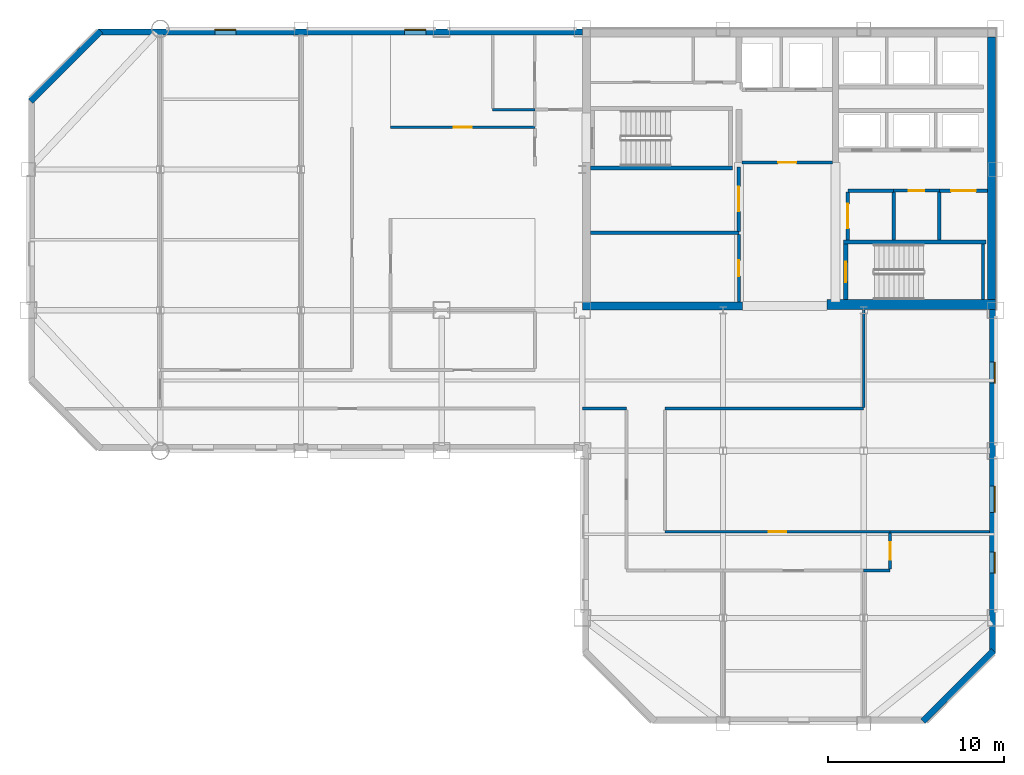
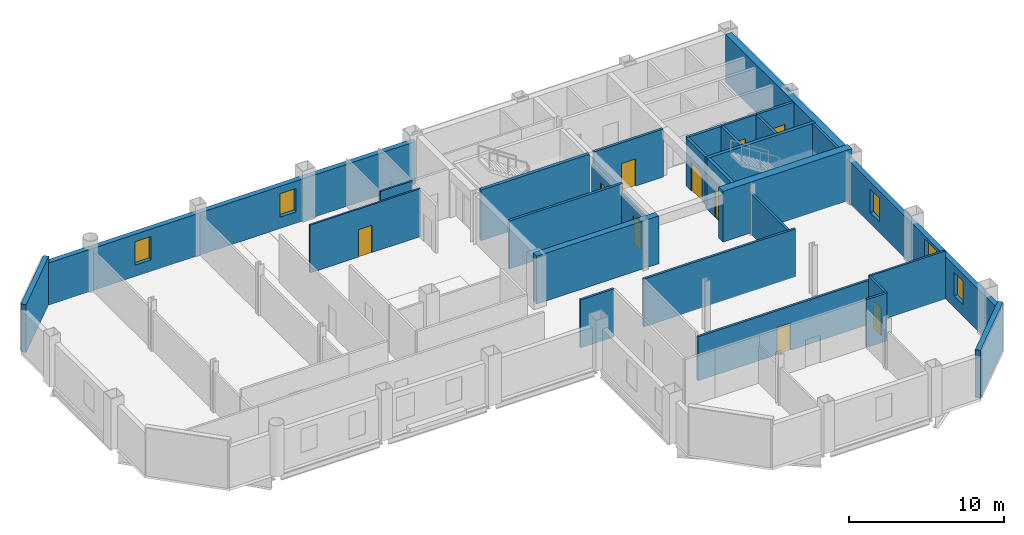
# One storey, part 5 of 10: 30 walls, 10 doors, 5 windows, 15 openings.
"""IFC4 building model written with IfcOpenShell, lengths in metres."""

from ifc_helpers import new_model, si_unit, direction, frame, frame_2d, origin, place, context, subcontext, project, spatial, rectangle, extrude, material, layer, layer_set, type_object, element, fill, save


model = new_model("IFC4")

# Units and contexts
model_context = context("Model", 3, precision=1e-05, world=origin(), true_north=direction((0.0, 1.0)))
body_context = subcontext(model_context, "Body", "Model", "MODEL_VIEW")
ifc_project = project(units=[si_unit("LENGTHUNIT", "METRE"), si_unit("AREAUNIT", "SQUARE_METRE"), si_unit("VOLUMEUNIT", "CUBIC_METRE"), si_unit("PLANEANGLEUNIT", "RADIAN"), si_unit("MASSUNIT", "GRAM", prefix="KILO")], contexts=[model_context])

# Site, building, storey
site_placement = place(None, origin())
site = spatial("IfcSite", under=ifc_project, at=site_placement, CompositionType="ELEMENT")
building_placement = place(site_placement, origin())
building = spatial("IfcBuilding", under=site, at=building_placement, Name="Qianrong Seaharbour Tower", CompositionType="ELEMENT")
storey_placement = place(building_placement, frame((0.0, 0.0, 225.800048828125)))
storey = spatial("IfcBuildingStorey", under=building, at=storey_placement, Name="L54", CompositionType="ELEMENT", Elevation=225.800048828125)

# Walls
ifc_material_1 = material(Name="Concrete C60/75", Category="concrete")
ifc_layer_1 = layer(ifc_material_1, 0.4599609375)
ifc_layer_set_1 = layer_set([ifc_layer_1], Name="Concrete C60/75")
wall_type_1 = type_object("IfcWallType", Name="WALL-CORE-460", PredefinedType="SHEAR", material=ifc_layer_set_1)
wall_1_placement = place(storey_placement, frame((63.77001953125, 36.320068359375, 0.0), z_axis=(0.0, 0.0, 1.0), x_axis=(0.0, 1.0, 0.0)))
element("IfcWall", 1, at=wall_1_placement, inside=storey, type_object=wall_type_1, Name="L54 East Core Shear Wall", PredefinedType="SHEAR", context=body_context, shape_type="SweptSolid", body=[
    extrude(rectangle(XDim=15.219970703125, YDim=0.4599609375, at=frame_2d((7.60986328125, 0.0))), origin(), (0.0, 0.0, 1.0), 3.77490234375),
])
wall_2_placement = place(storey_placement, frame((40.5, 36.22998046875, 0.0), z_axis=(0.0, 0.0, 1.0), x_axis=(1.0, 0.0, 0.0)))
element("IfcWall", 2, at=wall_2_placement, inside=storey, type_object=wall_type_1, Name="L54 South Core Shear Wall S1", PredefinedType="SHEAR", context=body_context, shape_type="SweptSolid", body=[
    extrude(rectangle(XDim=9.10009765625, YDim=0.4599609375, at=frame_2d((4.550048828125, 0.0))), origin(), (0.0, 0.0, 1.0), 3.77490234375),
])
ifc_material_2 = material(Name="Concrete C70/85", Category="concrete")
ifc_layer_2 = layer(ifc_material_2, 0.580078125)
ifc_layer_set_2 = layer_set([ifc_layer_2], Name="Concrete C70/85")
wall_type_2 = type_object("IfcWallType", Name="WALL-CORE-580", PredefinedType="SHEAR", material=ifc_layer_set_2)
wall_3_placement = place(storey_placement, frame((54.39990234375, 36.320068359375, 0.0), z_axis=(0.0, 0.0, 1.0), x_axis=(1.0, 0.0, 0.0)))
element("IfcWall", 3, at=wall_3_placement, inside=storey, type_object=wall_type_2, Name="L54 South Core Shear Wall S3", PredefinedType="SHEAR", context=body_context, shape_type="SweptSolid", body=[
    extrude(rectangle(XDim=9.60009765625, YDim=0.580078125, at=frame_2d((4.800048828125, 0.0))), origin(), (0.0, 0.0, 1.0), 4.0),
])

# Wall, opening, door
ifc_material_3 = material(Name="Fire-rated acoustic gypsum board partition")
ifc_layer_3 = layer(ifc_material_3, 0.1650390625)
ifc_layer_set_3 = layer_set([ifc_layer_3], Name="Fire-rated acoustic gypsum board partition")
wall_type_3 = type_object("IfcWallType", Name="WALL-CORR-PART-165", PredefinedType="PARTITIONING", material=ifc_layer_set_3)
wall_4_placement = place(storey_placement, frame((49.39990234375, 36.4599609375, 0.0), z_axis=(0.0, 0.0, 1.0), x_axis=(0.0, 1.0, 0.0)))
wall_4 = element("IfcWall", 4, at=wall_4_placement, inside=storey, type_object=wall_type_3, Name="L54 Interior Partition Wall 010", PredefinedType="PARTITIONING", context=body_context, shape_type="SweptSolid", body=[
    extrude(rectangle(XDim=3.85302734375, YDim=0.1650390625, at=frame_2d((1.926513671875, 0.0))), origin(), (0.0, 0.0, 1.0), 3.016845703125),
])
opening_1_placement = place(wall_4_placement, frame((1.4765625, 0.0, 0.0)))
opening_1 = element("IfcOpeningElement", 5, at=opening_1_placement, cuts=wall_4, Name="Opening DS-01", PredefinedType="OPENING", context=body_context, shape_type="SweptSolid", body=[
    extrude(rectangle(XDim=0.89990234375, YDim=2.14990234375, at=frame_2d((0.449951171875, 1.074951171875))), frame((0.0, 0.092529296875, 0.0), z_axis=(0.0, -1.0, 0.0), x_axis=(1.0, 0.0, 0.0)), (0.0, 0.0, 1.0), 0.18505859375),
])
ifc_material_4 = material(Name="Acoustic timber and galvanized steel fire door assembly", Category="steel")
door_type_1 = type_object("IfcDoorType", Name="DOOR-STORE-900x2150", OperationType="NOTDEFINED", PredefinedType="DOOR", material=ifc_material_4)
door_1_placement = place(opening_1_placement, origin())
door_1 = element("IfcDoor", 6, at=door_1_placement, inside=storey, type_object=door_type_1, Name="L54 Corporate Archive Room Door", OperationType="SINGLE_SWING_RIGHT", OverallHeight=2.14990234375, OverallWidth=0.89990234375, PredefinedType="DOOR", context=body_context, shape_type="SweptSolid", body=[
    extrude(rectangle(XDim=0.89990234375, YDim=2.14990234375, at=frame_2d((0.449951171875, 1.074951171875))), frame((0.0, 0.02490234375, 0.0), z_axis=(0.0, -1.0, 0.0), x_axis=(1.0, 0.0, 0.0)), (0.0, 0.0, 1.0), 0.050048828125),
])
fill(opening_1, door_1)

wall_5_placement = place(storey_placement, frame((60.800048828125, 42.800048828125, 0.0), z_axis=(0.0, 0.0, 1.0), x_axis=(-1.0, 0.0, 0.0)))
wall_5 = element("IfcWall", 7, at=wall_5_placement, inside=storey, type_object=wall_type_3, Name="L54 Interior Partition Wall 015", PredefinedType="PARTITIONING", context=body_context, shape_type="SweptSolid", body=[
    extrude(rectangle(XDim=2.60009765625, YDim=0.1650390625, at=frame_2d((1.300048828125, 0.0))), origin(), (0.0, 0.0, 1.0), 3.77490234375),
])
opening_2_placement = place(wall_5_placement, frame((0.85009765625, 0.0, 0.0)))
opening_2 = element("IfcOpeningElement", 8, at=opening_2_placement, cuts=wall_5, Name="Opening DS-01", PredefinedType="OPENING", context=body_context, shape_type="SweptSolid", body=[
    extrude(rectangle(XDim=0.89990234375, YDim=2.14990234375, at=frame_2d((0.449951171875, 1.074951171875))), frame((0.0, 0.092529296875, 0.0), z_axis=(0.0, -1.0, 0.0), x_axis=(1.0, 0.0, 0.0)), (0.0, 0.0, 1.0), 0.18505859375),
])
door_2_placement = place(opening_2_placement, origin())
door_2 = element("IfcDoor", 9, at=door_2_placement, inside=storey, type_object=door_type_1, Name="L54 Supply Store Room Door", OperationType="SINGLE_SWING_LEFT", OverallHeight=2.14990234375, OverallWidth=0.89990234375, PredefinedType="DOOR", context=body_context, shape_type="SweptSolid", body=[
    extrude(rectangle(XDim=0.89990234375, YDim=2.14990234375, at=frame_2d((0.449951171875, 1.074951171875))), frame((0.0, 0.02490234375, 0.0), z_axis=(0.0, -1.0, 0.0), x_axis=(1.0, 0.0, 0.0)), (0.0, 0.0, 1.0), 0.050048828125),
])
fill(opening_2, door_2)

# Walls
wall_6_placement = place(storey_placement, frame((56.5, 36.0, 0.0), z_axis=(0.0, 0.0, 1.0), x_axis=(0.0, -1.0, 0.0)))
element("IfcWall", 10, at=wall_6_placement, inside=storey, type_object=wall_type_3, Name="L54 Interior Partition Wall 029", PredefinedType="PARTITIONING", context=body_context, shape_type="SweptSolid", body=[
    extrude(rectangle(XDim=5.525390625, YDim=0.1650390625, at=frame_2d((2.7626953125, 0.0))), origin(), (0.0, 0.0, 1.0), 3.178955078125),
])
wall_7_placement = place(storey_placement, frame((56.5, 30.39990234375, 0.0), z_axis=(0.0, 0.0, 1.0), x_axis=(-1.0, 0.0, 0.0)))
element("IfcWall", 11, at=wall_7_placement, inside=storey, type_object=wall_type_3, Name="L54 Interior Partition Wall 030", PredefinedType="PARTITIONING", context=body_context, shape_type="SweptSolid", body=[
    extrude(rectangle(XDim=11.300048828125, YDim=0.1650390625, at=frame_2d((5.64990234375, 0.0))), origin(), (0.0, 0.0, 1.0), 3.77490234375),
])
wall_8_placement = place(storey_placement, frame((43.0, 30.39990234375, 0.0), z_axis=(0.0, 0.0, 1.0), x_axis=(-1.0, 0.0, 0.0)))
element("IfcWall", 12, at=wall_8_placement, inside=storey, type_object=wall_type_3, Name="L54 Interior Partition Wall 032", PredefinedType="PARTITIONING", context=body_context, shape_type="SweptSolid", body=[
    extrude(rectangle(XDim=2.5, YDim=0.1650390625, at=frame_2d((1.25, 0.0))), origin(), (0.0, 0.0, 1.0), 3.77490234375),
])

# Wall, opening, door
wall_9_placement = place(storey_placement, frame((45.199951171875, 23.39990234375, 0.0), z_axis=(0.0, 0.0, 1.0), x_axis=(1.0, 0.0, 0.0)))
wall_9 = element("IfcWall", 13, at=wall_9_placement, inside=storey, type_object=wall_type_3, Name="L54 Interior Partition Wall 036", PredefinedType="PARTITIONING", context=body_context, shape_type="SweptSolid", body=[
    extrude(rectangle(XDim=12.800048828125, YDim=0.1650390625, at=frame_2d((6.39990234375, 0.0))), origin(), (0.0, 0.0, 1.0), 3.467041015625),
])
opening_3_placement = place(wall_9_placement, frame((5.89990234375, 0.0, 0.0)))
opening_3 = element("IfcOpeningElement", 14, at=opening_3_placement, cuts=wall_9, Name="Opening DO-01", PredefinedType="OPENING", context=body_context, shape_type="SweptSolid", body=[
    extrude(rectangle(XDim=1.0, YDim=2.14990234375, at=frame_2d((0.5, 1.074951171875))), frame((0.0, 0.092529296875, 0.0), z_axis=(0.0, -1.0, 0.0), x_axis=(1.0, 0.0, 0.0)), (0.0, 0.0, 1.0), 0.18505859375),
])
door_type_2 = type_object("IfcDoorType", Name="DOOR-OFFICE-1000x2150", OperationType="NOTDEFINED", PredefinedType="DOOR", material=ifc_material_4)
door_3_placement = place(opening_3_placement, origin())
door_3 = element("IfcDoor", 15, at=door_3_placement, inside=storey, type_object=door_type_2, Name="L54 South Wing Open-Plan Office Door", OperationType="SINGLE_SWING_RIGHT", OverallHeight=2.14990234375, OverallWidth=1.0, PredefinedType="DOOR", context=body_context, shape_type="SweptSolid", body=[
    extrude(rectangle(XDim=1.0, YDim=2.14990234375, at=frame_2d((0.5, 1.074951171875))), frame((0.0, 0.02490234375, 0.0), z_axis=(0.0, -1.0, 0.0), x_axis=(1.0, 0.0, 0.0)), (0.0, 0.0, 1.0), 0.050048828125),
])
fill(opening_3, door_3)

wall_10_placement = place(storey_placement, frame((58.0, 23.325439453125, 0.0), z_axis=(0.0, 0.0, 1.0), x_axis=(0.0, -1.0, 0.0)))
wall_10 = element("IfcWall", 16, at=wall_10_placement, inside=storey, type_object=wall_type_3, Name="L54 Interior Partition Wall 039", PredefinedType="PARTITIONING", context=body_context, shape_type="SweptSolid", body=[
    extrude(rectangle(XDim=2.051025390625, YDim=0.1650390625, at=frame_2d((1.025390625, 0.0))), origin(), (0.0, 0.0, 1.0), 3.77490234375),
])
opening_4_placement = place(wall_10_placement, frame((0.525390625, 0.0, 0.0)))
opening_4 = element("IfcOpeningElement", 17, at=opening_4_placement, cuts=wall_10, Name="Opening DO-01", PredefinedType="OPENING", context=body_context, shape_type="SweptSolid", body=[
    extrude(rectangle(XDim=1.0, YDim=2.14990234375, at=frame_2d((0.5, 1.074951171875))), frame((0.0, 0.092529296875, 0.0), z_axis=(0.0, -1.0, 0.0), x_axis=(1.0, 0.0, 0.0)), (0.0, 0.0, 1.0), 0.18505859375),
])
door_4_placement = place(opening_4_placement, origin())
door_4 = element("IfcDoor", 18, at=door_4_placement, inside=storey, type_object=door_type_2, Name="L54 Standards Library 3 Door", OperationType="SINGLE_SWING_RIGHT", OverallHeight=2.14990234375, OverallWidth=1.0, PredefinedType="DOOR", context=body_context, shape_type="SweptSolid", body=[
    extrude(rectangle(XDim=1.0, YDim=2.14990234375, at=frame_2d((0.5, 1.074951171875))), frame((0.0, 0.02490234375, 0.0), z_axis=(0.0, -1.0, 0.0), x_axis=(1.0, 0.0, 0.0)), (0.0, 0.0, 1.0), 0.050048828125),
])
fill(opening_4, door_4)

# Walls
wall_11_placement = place(storey_placement, frame((58.0, 21.199951171875, 0.0), z_axis=(0.0, 0.0, 1.0), x_axis=(-1.0, 0.0, 0.0)))
element("IfcWall", 19, at=wall_11_placement, inside=storey, type_object=wall_type_3, Name="L54 Interior Partition Wall 040", PredefinedType="PARTITIONING", context=body_context, shape_type="SweptSolid", body=[
    extrude(rectangle(XDim=1.5, YDim=0.1650390625, at=frame_2d((0.75, 0.0))), origin(), (0.0, 0.0, 1.0), 3.77490234375),
])
ifc_material_5 = material(Name="Unitised red brick on Precast concrete C45/55", Category="masonry")
ifc_layer_4 = layer(ifc_material_5, 0.360107421875)
ifc_layer_set_4 = layer_set([ifc_layer_4], Name="Unitised red brick on Precast concrete C45/55")
wall_type_4 = type_object("IfcWallType", Name="WALL-EXT-BRICK-RED-360", PredefinedType="SOLIDWALL", material=ifc_layer_set_4)
wall_12_placement = place(storey_placement, frame((9.127197265625, 47.872802734375, 0.0), z_axis=(0.0, 0.0, 1.0), x_axis=(0.707106781187, 0.707106781187, 0.0)))
element("IfcWall", 20, at=wall_12_placement, inside=storey, type_object=wall_type_4, Name="L54 Exterior Masonry Facade Wall E04", PredefinedType="SOLIDWALL", context=body_context, shape_type="SweptSolid", body=[
    extrude(rectangle(XDim=5.65673828125, YDim=0.360107421875, at=frame_2d((2.828369140625, 0.0))), origin(), (0.0, 0.0, 1.0), 3.77490234375),
])

# Wall, openings, windows
wall_13_placement = place(storey_placement, frame((13.0, 51.820068359375, 0.0), z_axis=(0.0, 0.0, 1.0), x_axis=(1.0, 0.0, 0.0)))
wall_13 = element("IfcWall", 21, at=wall_13_placement, inside=storey, type_object=wall_type_4, Name="L54 Exterior Masonry Facade Wall NORTH_WING", PredefinedType="SOLIDWALL", context=body_context, shape_type="SweptSolid", body=[
    extrude(rectangle(XDim=27.52001953125, YDim=0.360107421875, at=frame_2d((13.760009765625, 0.0))), origin(), (0.0, 0.0, 1.0), 3.324951171875),
])
opening_5_placement = place(wall_13_placement, frame((6.60009765625, 0.0, 0.89990234375)))
opening_5 = element("IfcOpeningElement", 22, at=opening_5_placement, cuts=wall_13, Name="Opening WN-01", PredefinedType="OPENING", context=body_context, shape_type="SweptSolid", body=[
    extrude(rectangle(XDim=1.199951171875, YDim=1.85009765625, at=frame_2d((0.60009765625, 0.925048828125))), frame((0.0, 0.18994140625, 0.0), z_axis=(0.0, -1.0, 0.0), x_axis=(1.0, 0.0, 0.0)), (0.0, 0.0, 1.0), 0.380126953125),
])
opening_6_placement = place(wall_13_placement, frame((17.39990234375, 0.0, 0.89990234375)))
opening_6 = element("IfcOpeningElement", 23, at=opening_6_placement, cuts=wall_13, Name="Opening WN-01", PredefinedType="OPENING", context=body_context, shape_type="SweptSolid", body=[
    extrude(rectangle(XDim=1.199951171875, YDim=1.85009765625, at=frame_2d((0.60009765625, 0.925048828125))), frame((0.0, 0.18994140625, 0.0), z_axis=(0.0, -1.0, 0.0), x_axis=(1.0, 0.0, 0.0)), (0.0, 0.0, 1.0), 0.380126953125),
])
ifc_material_6 = material(Name="Insulated low-e double glazing in thermally broken aluminium 6063-T6 frame", Category="aluminium")
window_type_1 = type_object("IfcWindowType", Name="WIN-PUNCH-1200x1850", PartitioningType="DOUBLE_PANEL_VERTICAL", PredefinedType="WINDOW", material=ifc_material_6)
window_1_placement = place(opening_5_placement, origin())
window_1 = element("IfcWindow", 24, at=window_1_placement, inside=storey, type_object=window_type_1, Name="L54 Deep-Set Punched Window 05.02", OverallHeight=1.85009765625, OverallWidth=1.199951171875, PartitioningType="DOUBLE_PANEL_VERTICAL", PredefinedType="WINDOW", context=body_context, shape_type="SweptSolid", body=[
    extrude(rectangle(XDim=1.199951171875, YDim=1.85009765625, at=frame_2d((0.60009765625, 0.925048828125))), frame((0.0, 0.150146484375, 0.0), z_axis=(0.0, -1.0, 0.0), x_axis=(1.0, 0.0, 0.0)), (0.0, 0.0, 1.0), 0.06005859375),
])
fill(opening_5, window_1)
window_2_placement = place(opening_6_placement, origin())
window_2 = element("IfcWindow", 25, at=window_2_placement, inside=storey, type_object=window_type_1, Name="L54 Deep-Set Punched Window 05.05", OverallHeight=1.85009765625, OverallWidth=1.199951171875, PartitioningType="DOUBLE_PANEL_VERTICAL", PredefinedType="WINDOW", context=body_context, shape_type="SweptSolid", body=[
    extrude(rectangle(XDim=1.199951171875, YDim=1.85009765625, at=frame_2d((0.60009765625, 0.925048828125))), frame((0.0, 0.150146484375, 0.0), z_axis=(0.0, -1.0, 0.0), x_axis=(1.0, 0.0, 0.0)), (0.0, 0.0, 1.0), 0.06005859375),
])
fill(opening_6, window_2)

wall_14_placement = place(storey_placement, frame((63.820068359375, 36.050048828125, 0.0), z_axis=(0.0, 0.0, 1.0), x_axis=(0.0, -1.0, 0.0)))
wall_14 = element("IfcWall", 26, at=wall_14_placement, inside=storey, type_object=wall_type_4, Name="L54 Exterior Masonry Facade Wall EAST_WING", PredefinedType="SOLIDWALL", context=body_context, shape_type="SweptSolid", body=[
    extrude(rectangle(XDim=19.550048828125, YDim=0.360107421875, at=frame_2d((9.77490234375, 0.0))), origin(), (0.0, 0.0, 1.0), 3.324951171875),
])
opening_7_placement = place(wall_14_placement, frame((3.0, 0.0, 0.89990234375)))
opening_7 = element("IfcOpeningElement", 27, at=opening_7_placement, cuts=wall_14, Name="Opening WN-01", PredefinedType="OPENING", context=body_context, shape_type="SweptSolid", body=[
    extrude(rectangle(XDim=1.199951171875, YDim=1.85009765625, at=frame_2d((0.60009765625, 0.925048828125))), frame((0.0, 0.18994140625, 0.0), z_axis=(0.0, -1.0, 0.0), x_axis=(1.0, 0.0, 0.0)), (0.0, 0.0, 1.0), 0.380126953125),
])
opening_8_placement = place(wall_14_placement, frame((10.050048828125, 0.0, 0.699951171875)))
opening_8 = element("IfcOpeningElement", 28, at=opening_8_placement, cuts=wall_14, Name="Opening WN-08", PredefinedType="OPENING", context=body_context, shape_type="SweptSolid", body=[
    extrude(rectangle(XDim=1.5, YDim=2.39990234375, at=frame_2d((0.75, 1.199951171875))), frame((0.0, 0.18994140625, 0.0), z_axis=(0.0, -1.0, 0.0), x_axis=(1.0, 0.0, 0.0)), (0.0, 0.0, 1.0), 0.380126953125),
])
opening_9_placement = place(wall_14_placement, frame((13.800048828125, 0.0, 0.89990234375)))
opening_9 = element("IfcOpeningElement", 29, at=opening_9_placement, cuts=wall_14, Name="Opening WN-01", PredefinedType="OPENING", context=body_context, shape_type="SweptSolid", body=[
    extrude(rectangle(XDim=1.199951171875, YDim=1.85009765625, at=frame_2d((0.60009765625, 0.925048828125))), frame((0.0, 0.18994140625, 0.0), z_axis=(0.0, -1.0, 0.0), x_axis=(1.0, 0.0, 0.0)), (0.0, 0.0, 1.0), 0.380126953125),
])
window_3_placement = place(opening_7_placement, origin())
window_3 = element("IfcWindow", 30, at=window_3_placement, inside=storey, type_object=window_type_1, Name="L54 Deep-Set Punched Window 06.01", OverallHeight=1.85009765625, OverallWidth=1.199951171875, PartitioningType="DOUBLE_PANEL_VERTICAL", PredefinedType="WINDOW", context=body_context, shape_type="SweptSolid", body=[
    extrude(rectangle(XDim=1.199951171875, YDim=1.85009765625, at=frame_2d((0.60009765625, 0.925048828125))), frame((0.0, 0.150146484375, 0.0), z_axis=(0.0, -1.0, 0.0), x_axis=(1.0, 0.0, 0.0)), (0.0, 0.0, 1.0), 0.06005859375),
])
fill(opening_7, window_3)
window_4_placement = place(opening_9_placement, origin())
window_4 = element("IfcWindow", 31, at=window_4_placement, inside=storey, type_object=window_type_1, Name="L54 Deep-Set Punched Window 06.04", OverallHeight=1.85009765625, OverallWidth=1.199951171875, PartitioningType="DOUBLE_PANEL_VERTICAL", PredefinedType="WINDOW", context=body_context, shape_type="SweptSolid", body=[
    extrude(rectangle(XDim=1.199951171875, YDim=1.85009765625, at=frame_2d((0.60009765625, 0.925048828125))), frame((0.0, 0.150146484375, 0.0), z_axis=(0.0, -1.0, 0.0), x_axis=(1.0, 0.0, 0.0)), (0.0, 0.0, 1.0), 0.06005859375),
])
fill(opening_9, window_4)
window_type_2 = type_object("IfcWindowType", Name="WIN-PUNCH-1500x2400", PartitioningType="DOUBLE_PANEL_HORIZONTAL", PredefinedType="WINDOW", material=ifc_material_6)
window_5_placement = place(opening_8_placement, origin())
window_5 = element("IfcWindow", 32, at=window_5_placement, inside=storey, type_object=window_type_2, Name="L54 Deep-Set Punched Window 06.03", OverallHeight=2.39990234375, OverallWidth=1.5, PartitioningType="DOUBLE_PANEL_HORIZONTAL", PredefinedType="WINDOW", context=body_context, shape_type="SweptSolid", body=[
    extrude(rectangle(XDim=1.5, YDim=2.39990234375, at=frame_2d((0.75, 1.199951171875))), frame((0.0, 0.150146484375, 0.0), z_axis=(0.0, -1.0, 0.0), x_axis=(1.0, 0.0, 0.0)), (0.0, 0.0, 1.0), 0.06005859375),
])
fill(opening_8, window_5)

# Wall
wall_15_placement = place(storey_placement, frame((63.872802734375, 16.627197265625, 0.0), z_axis=(0.0, 0.0, 1.0), x_axis=(-0.707106781187, -0.707106781187, 0.0)))
element("IfcWall", 33, at=wall_15_placement, inside=storey, type_object=wall_type_4, Name="L54 Exterior Masonry Facade Wall E07", PredefinedType="SOLIDWALL", context=body_context, shape_type="SweptSolid", body=[
    extrude(rectangle(XDim=5.65673828125, YDim=0.360107421875, at=frame_2d((2.828369140625, 0.0))), origin(), (0.0, 0.0, 1.0), 3.77490234375),
])

# Wall, opening, door
ifc_material_7 = material(Name="Double fire-rated gypsum board acoustic partition")
ifc_layer_5 = layer(ifc_material_7, 0.18994140625)
ifc_layer_set_5 = layer_set([ifc_layer_5], Name="Double fire-rated gypsum board acoustic partition")
wall_type_5 = type_object("IfcWallType", Name="WALL-FIRE-PART-190", PredefinedType="PARTITIONING", material=ifc_layer_set_5)
wall_16_placement = place(storey_placement, frame((54.73291015625, 44.39990234375, 0.0), z_axis=(0.0, 0.0, 1.0), x_axis=(-1.0, 0.0, 0.0)))
wall_16 = element("IfcWall", 34, at=wall_16_placement, inside=storey, type_object=wall_type_5, Name="L54 Interior Partition Wall 009", PredefinedType="PARTITIONING", context=body_context, shape_type="SweptSolid", body=[
    extrude(rectangle(XDim=5.166015625, YDim=0.18994140625, at=frame_2d((2.5830078125, 0.0))), origin(), (0.0, 0.0, 1.0), 3.77490234375),
])
opening_10_placement = place(wall_16_placement, frame((2.05810546875, 0.0, 0.0)))
opening_10 = element("IfcOpeningElement", 35, at=opening_10_placement, cuts=wall_16, Name="Opening DC-01", PredefinedType="OPENING", context=body_context, shape_type="SweptSolid", body=[
    extrude(rectangle(XDim=1.050048828125, YDim=2.14990234375, at=frame_2d((0.52490234375, 1.074951171875))), frame((0.0, 0.10498046875, 0.0), z_axis=(0.0, -1.0, 0.0), x_axis=(1.0, 0.0, 0.0)), (0.0, 0.0, 1.0), 0.2099609375),
])
door_type_3 = type_object("IfcDoorType", Name="DOOR-CORR-FD60-1050x2150", OperationType="NOTDEFINED", PredefinedType="DOOR", material=ifc_material_4)
door_5_placement = place(opening_10_placement, origin())
door_5 = element("IfcDoor", 36, at=door_5_placement, inside=storey, type_object=door_type_3, Name="L54 Firefighting Lift Lobby Door", OperationType="SINGLE_SWING_LEFT", OverallHeight=2.14990234375, OverallWidth=1.050048828125, PredefinedType="DOOR", context=body_context, shape_type="SweptSolid", body=[
    extrude(rectangle(XDim=1.050048828125, YDim=2.14990234375, at=frame_2d((0.52490234375, 1.074951171875))), frame((0.0, 0.02490234375, 0.0), z_axis=(0.0, -1.0, 0.0), x_axis=(1.0, 0.0, 0.0)), (0.0, 0.0, 1.0), 0.050048828125),
])
fill(opening_10, door_5)

wall_17_placement = place(storey_placement, frame((49.39990234375, 40.487060546875, 0.0), z_axis=(0.0, 0.0, 1.0), x_axis=(0.0, 1.0, 0.0)))
wall_17 = element("IfcWall", 37, at=wall_17_placement, inside=storey, type_object=wall_type_5, Name="L54 Interior Partition Wall 011", PredefinedType="PARTITIONING", context=body_context, shape_type="SweptSolid", body=[
    extrude(rectangle(XDim=3.662841796875, YDim=0.18994140625, at=frame_2d((1.83154296875, 0.0))), origin(), (0.0, 0.0, 1.0), 3.016845703125),
])
opening_11_placement = place(wall_17_placement, frame((1.131591796875, 0.0, 0.0)))
opening_11 = element("IfcOpeningElement", 38, at=opening_11_placement, cuts=wall_17, Name="Opening DP-01", PredefinedType="OPENING", context=body_context, shape_type="SweptSolid", body=[
    extrude(rectangle(XDim=1.39990234375, YDim=2.25, at=frame_2d((0.699951171875, 1.125))), frame((0.0, 0.10498046875, 0.0), z_axis=(0.0, -1.0, 0.0), x_axis=(1.0, 0.0, 0.0)), (0.0, 0.0, 1.0), 0.2099609375),
])
door_type_4 = type_object("IfcDoorType", Name="DOOR-PLANT-PAIR-1400x2250", OperationType="DOUBLE_DOOR_SINGLE_SWING", PredefinedType="DOOR", material=ifc_material_4)
door_6_placement = place(opening_11_placement, origin())
door_6 = element("IfcDoor", 39, at=door_6_placement, inside=storey, type_object=door_type_4, Name="L54 Telecom Server Room Door", OperationType="DOUBLE_DOOR_SINGLE_SWING", OverallHeight=2.25, OverallWidth=1.39990234375, PredefinedType="DOOR", context=body_context, shape_type="SweptSolid", body=[
    extrude(rectangle(XDim=1.39990234375, YDim=2.25, at=frame_2d((0.699951171875, 1.125))), frame((0.0, 0.02490234375, 0.0), z_axis=(0.0, -1.0, 0.0), x_axis=(1.0, 0.0, 0.0)), (0.0, 0.0, 1.0), 0.050048828125),
])
fill(opening_11, door_6)

wall_18_placement = place(storey_placement, frame((55.60009765625, 42.712890625, 0.0), z_axis=(0.0, 0.0, 1.0), x_axis=(0.0, -1.0, 0.0)))
wall_18 = element("IfcWall", 40, at=wall_18_placement, inside=storey, type_object=wall_type_5, Name="L54 Interior Partition Wall 012", PredefinedType="PARTITIONING", context=body_context, shape_type="SweptSolid", body=[
    extrude(rectangle(XDim=2.73095703125, YDim=0.18994140625, at=frame_2d((1.365478515625, 0.0))), origin(), (0.0, 0.0, 1.0), 3.77490234375),
])
opening_12_placement = place(wall_18_placement, frame((0.66552734375, 0.0, 0.0)))
opening_12 = element("IfcOpeningElement", 41, at=opening_12_placement, cuts=wall_18, Name="Opening DP-01", PredefinedType="OPENING", context=body_context, shape_type="SweptSolid", body=[
    extrude(rectangle(XDim=1.39990234375, YDim=2.25, at=frame_2d((0.699951171875, 1.125))), frame((0.0, 0.10498046875, 0.0), z_axis=(0.0, -1.0, 0.0), x_axis=(1.0, 0.0, 0.0)), (0.0, 0.0, 1.0), 0.2099609375),
])
door_7_placement = place(opening_12_placement, origin())
door_7 = element("IfcDoor", 42, at=door_7_placement, inside=storey, type_object=door_type_4, Name="L54 Core Telecom Room Door", OperationType="DOUBLE_DOOR_SINGLE_SWING", OverallHeight=2.25, OverallWidth=1.39990234375, PredefinedType="DOOR", context=body_context, shape_type="SweptSolid", body=[
    extrude(rectangle(XDim=1.39990234375, YDim=2.25, at=frame_2d((0.699951171875, 1.125))), frame((0.0, 0.02490234375, 0.0), z_axis=(0.0, -1.0, 0.0), x_axis=(1.0, 0.0, 0.0)), (0.0, 0.0, 1.0), 0.050048828125),
])
fill(opening_12, door_7)

# Walls
wall_19_placement = place(storey_placement, frame((40.9599609375, 40.39990234375, 0.0), z_axis=(0.0, 0.0, 1.0), x_axis=(1.0, 0.0, 0.0)))
element("IfcWall", 43, at=wall_19_placement, inside=storey, type_object=wall_type_5, Name="L54 Interior Partition Wall 013", PredefinedType="PARTITIONING", context=body_context, shape_type="SweptSolid", body=[
    extrude(rectangle(XDim=8.43994140625, YDim=0.18994140625, at=frame_2d((4.219970703125, 0.0))), origin(), (0.0, 0.0, 1.0), 3.77490234375),
])
wall_20_placement = place(storey_placement, frame((58.199951171875, 42.800048828125, 0.0), z_axis=(0.0, 0.0, 1.0), x_axis=(-1.0, 0.0, 0.0)))
element("IfcWall", 44, at=wall_20_placement, inside=storey, type_object=wall_type_5, Name="L54 Interior Partition Wall 014", PredefinedType="PARTITIONING", context=body_context, shape_type="SweptSolid", body=[
    extrude(rectangle(XDim=2.599853515625, YDim=0.18994140625, at=frame_2d((1.2998046875, 0.0))), origin(), (0.0, 0.0, 1.0), 3.77490234375),
])

# Wall, opening, door
wall_21_placement = place(storey_placement, frame((63.5400390625, 42.800048828125, 0.0), z_axis=(0.0, 0.0, 1.0), x_axis=(-1.0, 0.0, 0.0)))
wall_21 = element("IfcWall", 45, at=wall_21_placement, inside=storey, type_object=wall_type_5, Name="L54 Interior Partition Wall 016", PredefinedType="PARTITIONING", context=body_context, shape_type="SweptSolid", body=[
    extrude(rectangle(XDim=2.739990234375, YDim=0.18994140625, at=frame_2d((1.3701171875, 0.0))), origin(), (0.0, 0.0, 1.0), 3.77490234375),
])
opening_13_placement = place(wall_21_placement, frame((0.669921875, 0.0, 0.0)))
opening_13 = element("IfcOpeningElement", 46, at=opening_13_placement, cuts=wall_21, Name="Opening DP-01", PredefinedType="OPENING", context=body_context, shape_type="SweptSolid", body=[
    extrude(rectangle(XDim=1.39990234375, YDim=2.25, at=frame_2d((0.699951171875, 1.125))), frame((0.0, 0.10498046875, 0.0), z_axis=(0.0, -1.0, 0.0), x_axis=(1.0, 0.0, 0.0)), (0.0, 0.0, 1.0), 0.2099609375),
])
door_8_placement = place(opening_13_placement, origin())
door_8 = element("IfcDoor", 47, at=door_8_placement, inside=storey, type_object=door_type_4, Name="L54 Building Metering Room Door", OperationType="DOUBLE_DOOR_SINGLE_SWING", OverallHeight=2.25, OverallWidth=1.39990234375, PredefinedType="DOOR", context=body_context, shape_type="SweptSolid", body=[
    extrude(rectangle(XDim=1.39990234375, YDim=2.25, at=frame_2d((0.699951171875, 1.125))), frame((0.0, 0.02490234375, 0.0), z_axis=(0.0, -1.0, 0.0), x_axis=(1.0, 0.0, 0.0)), (0.0, 0.0, 1.0), 0.050048828125),
])
fill(opening_13, door_8)

# Walls
for number, where, z_axis, x_axis, name in (
    (48, (58.199951171875, 42.712890625, 0.0), (0.0, 0.0, 1.0), (0.0, -1.0, 0.0), "L54 Interior Partition Wall 018"),
    (49, (60.800048828125, 42.712890625, 0.0), (0.0, 0.0, 1.0), (0.0, -1.0, 0.0), "L54 Interior Partition Wall 019"),
):
    element("IfcWall", number, at=place(storey_placement, frame(where, z_axis=z_axis, x_axis=x_axis)), inside=storey, type_object=wall_type_5, Name=name, PredefinedType="PARTITIONING", context=body_context, shape_type="SweptSolid", body=[
        extrude(rectangle(XDim=2.73095703125, YDim=0.18994140625, at=frame_2d((1.365478515625, 0.0))), origin(), (0.0, 0.0, 1.0), 3.77490234375),
    ])
ifc_material_8 = material(Name="Acoustic gypsum board stud partition")
ifc_layer_6 = layer(ifc_material_8, 0.14501953125)
ifc_layer_set_6 = layer_set([ifc_layer_6], Name="Acoustic gypsum board stud partition")
wall_type_6 = type_object("IfcWallType", Name="WALL-OFFICE-PART-145", PredefinedType="PARTITIONING", material=ifc_layer_set_6)
wall_22_placement = place(storey_placement, frame((63.64794921875, 23.39990234375, 0.0), z_axis=(0.0, 0.0, 1.0), x_axis=(-1.0, 0.0, 0.0)))
element("IfcWall", 50, at=wall_22_placement, inside=storey, type_object=wall_type_6, Name="L54 Interior Partition Wall 041", PredefinedType="PARTITIONING", context=body_context, shape_type="SweptSolid", body=[
    extrude(rectangle(XDim=5.64794921875, YDim=0.14501953125, at=frame_2d((2.823974609375, 0.0))), origin(), (0.0, 0.0, 1.0), 3.77490234375),
])
ifc_material_9 = material(Name="Concrete C50/60", Category="concrete")
ifc_layer_7 = layer(ifc_material_9, 0.239990234375)
ifc_layer_set_7 = layer_set([ifc_layer_7], Name="Concrete C50/60")
wall_type_7 = type_object("IfcWallType", Name="WALL-SHAFT-RC240", PredefinedType="SOLIDWALL", material=ifc_layer_set_7)
wall_23_placement = place(storey_placement, frame((49.0400390625, 44.080078125, 0.0), z_axis=(0.0, 0.0, 1.0), x_axis=(-1.0, 0.0, 0.0)))
element("IfcWall", 51, at=wall_23_placement, inside=storey, type_object=wall_type_7, Name="L54 ST-1 Structural Stair Core Wall S", PredefinedType="SOLIDWALL", context=body_context, shape_type="SweptSolid", body=[
    extrude(rectangle(XDim=8.080078125, YDim=0.239990234375, at=frame_2d((4.0400390625, 0.0))), origin(), (0.0, 0.0, 1.0), 4.0),
])
wall_24_placement = place(storey_placement, frame((55.360107421875, 39.8701171875, 0.0), z_axis=(0.0, 0.0, 1.0), x_axis=(1.0, 0.0, 0.0)))
element("IfcWall", 52, at=wall_24_placement, inside=storey, type_object=wall_type_7, Name="L54 ST-2 Structural Stair Core Wall N", PredefinedType="SOLIDWALL", context=body_context, shape_type="SweptSolid", body=[
    extrude(rectangle(XDim=8.079833984375, YDim=0.239990234375, at=frame_2d((4.0400390625, 0.0))), origin(), (0.0, 0.0, 1.0), 4.0),
])

# Wall, opening, door
wall_25_placement = place(storey_placement, frame((55.47998046875, 39.75, 0.0), z_axis=(0.0, 0.0, 1.0), x_axis=(0.0, -1.0, 0.0)))
wall_25 = element("IfcWall", 53, at=wall_25_placement, inside=storey, type_object=wall_type_7, Name="L54 ST-2 Structural Stair Core Wall W", PredefinedType="SOLIDWALL", context=body_context, shape_type="SweptSolid", body=[
    extrude(rectangle(XDim=3.14990234375, YDim=0.239990234375, at=frame_2d((1.574951171875, 0.0))), origin(), (0.0, 0.0, 1.0), 4.0),
])
opening_14_placement = place(wall_25_placement, frame((1.0, 0.0, 0.0)))
opening_14 = element("IfcOpeningElement", 54, at=opening_14_placement, cuts=wall_25, Name="Opening SD-01", PredefinedType="OPENING", context=body_context, shape_type="SweptSolid", body=[
    extrude(rectangle(XDim=1.14990234375, YDim=2.199951171875, at=frame_2d((0.574951171875, 1.10009765625))), frame((0.0, 0.1298828125, 0.0), z_axis=(0.0, -1.0, 0.0), x_axis=(1.0, 0.0, 0.0)), (0.0, 0.0, 1.0), 0.260009765625),
])
door_type_5 = type_object("IfcDoorType", Name="DOOR-STAIR-FD60-1150x2200", OperationType="NOTDEFINED", PredefinedType="DOOR", material=ifc_material_4)
door_9_placement = place(opening_14_placement, origin())
door_9 = element("IfcDoor", 55, at=door_9_placement, inside=storey, type_object=door_type_5, Name="L54 ST-2 Protected Stair Door", OperationType="SINGLE_SWING_LEFT", OverallHeight=2.199951171875, OverallWidth=1.14990234375, PredefinedType="DOOR", context=body_context, shape_type="SweptSolid", body=[
    extrude(rectangle(XDim=1.14990234375, YDim=2.199951171875, at=frame_2d((0.574951171875, 1.10009765625))), frame((0.0, 0.02490234375, 0.0), z_axis=(0.0, -1.0, 0.0), x_axis=(1.0, 0.0, 0.0)), (0.0, 0.0, 1.0), 0.050048828125),
])
fill(opening_14, door_9)

# Walls
wall_26_placement = place(storey_placement, frame((63.2900390625, 36.60009765625, 0.0), z_axis=(0.0, 0.0, 1.0), x_axis=(0.0, 1.0, 0.0)))
element("IfcWall", 56, at=wall_26_placement, inside=storey, type_object=wall_type_7, Name="L54 ST-2 Structural Stair Core Wall E", PredefinedType="SOLIDWALL", context=body_context, shape_type="SweptSolid", body=[
    extrude(rectangle(XDim=3.14990234375, YDim=0.179931640625, at=frame_2d((1.574951171875, 0.0))), origin(), (0.0, 0.0, 1.0), 4.0),
])
ifc_material_10 = material(Name="Water-resistant cement board sanitary partition")
ifc_layer_8 = layer(ifc_material_10, 0.1298828125)
ifc_layer_set_8 = layer_set([ifc_layer_8], Name="Water-resistant cement board sanitary partition")
wall_type_8 = type_object("IfcWallType", Name="WALL-WET-PART-130", PredefinedType="PARTITIONING", material=ifc_layer_set_8)
wall_27_placement = place(storey_placement, frame((37.800048828125, 47.39990234375, 0.0), z_axis=(0.0, 0.0, 1.0), x_axis=(-1.0, 0.0, 0.0)))
element("IfcWall", 57, at=wall_27_placement, inside=storey, type_object=wall_type_8, Name="L54 Interior Partition Wall 005", PredefinedType="PARTITIONING", context=body_context, shape_type="SweptSolid", body=[
    extrude(rectangle(XDim=2.400146484375, YDim=0.1298828125, at=frame_2d((1.2001953125, 0.0))), origin(), (0.0, 0.0, 1.0), 3.77490234375),
])

# Wall, opening, door
wall_28_placement = place(storey_placement, frame((29.60009765625, 46.39990234375, 0.0), z_axis=(0.0, 0.0, 1.0), x_axis=(1.0, 0.0, 0.0)))
wall_28 = element("IfcWall", 58, at=wall_28_placement, inside=storey, type_object=wall_type_8, Name="L54 Interior Partition Wall 028", PredefinedType="PARTITIONING", context=body_context, shape_type="SweptSolid", body=[
    extrude(rectangle(XDim=8.199951171875, YDim=0.1298828125, at=frame_2d((4.10009765625, 0.0))), origin(), (0.0, 0.0, 1.0), 3.77490234375),
])
opening_15_placement = place(wall_28_placement, frame((3.60009765625, 0.0, 0.0)))
opening_15 = element("IfcOpeningElement", 59, at=opening_15_placement, cuts=wall_28, Name="Opening DO-01", PredefinedType="OPENING", context=body_context, shape_type="SweptSolid", body=[
    extrude(rectangle(XDim=1.0, YDim=2.14990234375, at=frame_2d((0.5, 1.074951171875))), frame((0.0, 0.074951171875, 0.0), z_axis=(0.0, -1.0, 0.0), x_axis=(1.0, 0.0, 0.0)), (0.0, 0.0, 1.0), 0.14990234375),
])
door_10_placement = place(opening_15_placement, origin())
door_10 = element("IfcDoor", 60, at=door_10_placement, inside=storey, type_object=door_type_2, Name="L54 Wet Pantry 3 Door", OperationType="SINGLE_SWING_LEFT", OverallHeight=2.14990234375, OverallWidth=1.0, PredefinedType="DOOR", context=body_context, shape_type="SweptSolid", body=[
    extrude(rectangle(XDim=1.0, YDim=2.14990234375, at=frame_2d((0.5, 1.074951171875))), frame((0.0, 0.02490234375, 0.0), z_axis=(0.0, -1.0, 0.0), x_axis=(1.0, 0.0, 0.0)), (0.0, 0.0, 1.0), 0.050048828125),
])
fill(opening_15, door_10)

save(model, "model.ifc")
